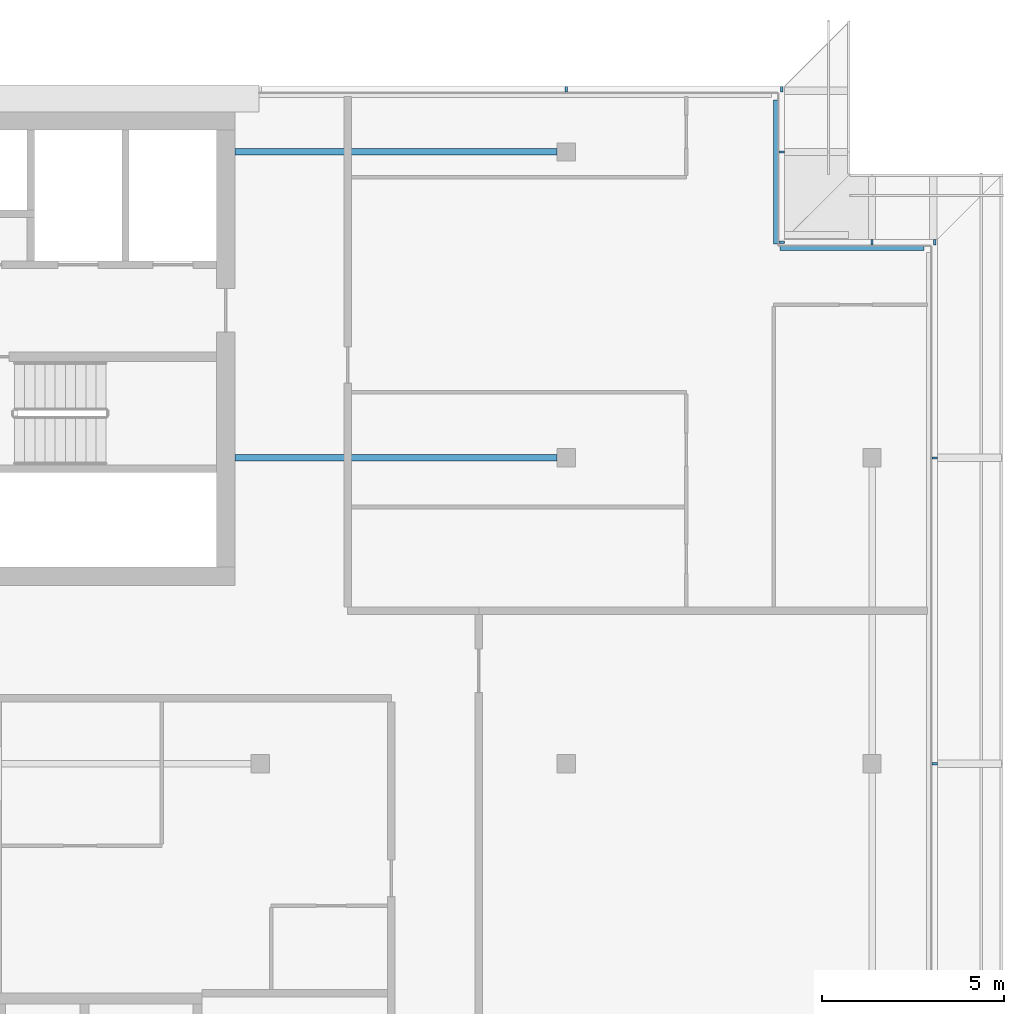
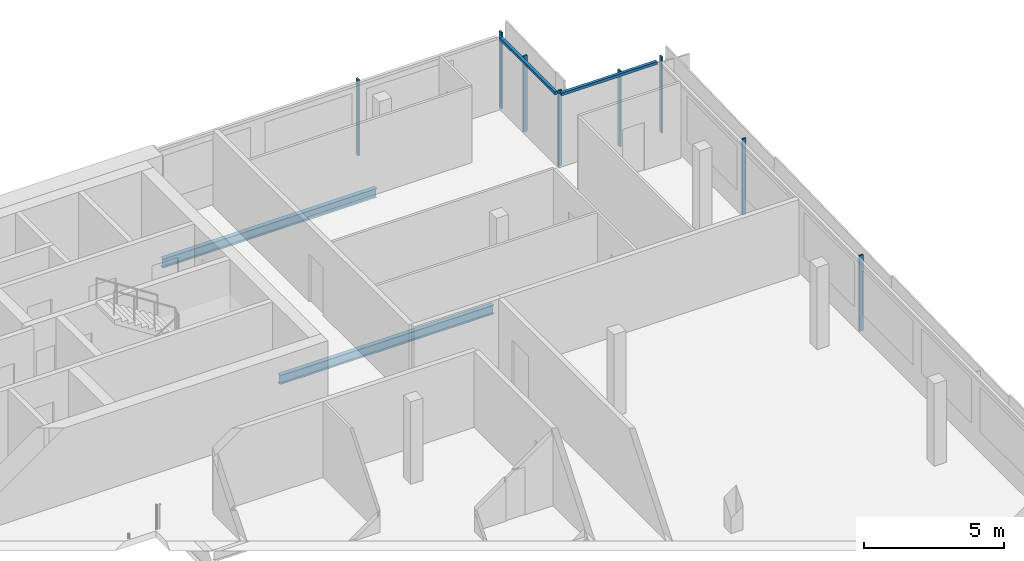
# One storey, part 13 of 27: 10 members, 2 beams, 4 elements without a shape of their own.
"""IFC4 building model written with IfcOpenShell, lengths in metres."""

from ifc_helpers import new_model, si_unit, direction, frame, origin, origin_2d, place, context, subcontext, project, spatial, rectangle, i_section, extrude, material, material_profile, profile_set, type_object, element, aggregate, save


model = new_model("IFC4")

# Units and contexts
model_context = context("Model", 3, precision=1e-05, world=origin(), true_north=direction((0.0, 1.0)))
body_context = subcontext(model_context, "Body", "Model", "MODEL_VIEW")
ifc_project = project(units=[si_unit("LENGTHUNIT", "METRE"), si_unit("AREAUNIT", "SQUARE_METRE"), si_unit("VOLUMEUNIT", "CUBIC_METRE"), si_unit("PLANEANGLEUNIT", "RADIAN"), si_unit("MASSUNIT", "GRAM", prefix="KILO")], contexts=[model_context])

# Site, building, storey
site_placement = place(None, origin())
site = spatial("IfcSite", under=ifc_project, at=site_placement, CompositionType="ELEMENT")
building_placement = place(site_placement, origin())
building = spatial("IfcBuilding", under=site, at=building_placement, Name="Saffron Gate Tower", CompositionType="ELEMENT")
storey_placement = place(building_placement, frame((0.0, 0.0, 267.14990234375)))
storey = spatial("IfcBuildingStorey", under=building, at=storey_placement, Name="L64", CompositionType="ELEMENT", Elevation=267.14990234375)

# Beams
ifc_material_1 = material(Name="Structural steel S355", Category="steel")
ifc_material_profile_1 = material_profile(ifc_material_1, i_section(OverallWidth=0.179931640625, OverallDepth=0.39990234375, WebThickness=0.008544921875, FlangeThickness=0.013427734375, FilletRadius=0.02099609375, at=origin_2d()))
ifc_profile_set_1 = profile_set([ifc_material_profile_1], Name="Structural steel S355")
beam_type = type_object("IfcBeamType", Name="B4 IPE 400", PredefinedType="BEAM", material=ifc_profile_set_1)
for number, where, z_axis, x_axis, name in (
    (1, (116.75, 65.39990234375, -0.47998046875), (-1.0, 0.0, 0.0), (0.0, -1.0, 0.0), "B4 CORE TIE BEAM"),
    (2, (116.75, 73.800048828125, -0.47998046875), (-1.0, 0.0, 0.0), (0.0, -1.0, 0.0), "B4 CORE TIE BEAM"),
):
    element("IfcBeam", number, at=place(storey_placement, frame(where, z_axis=z_axis, x_axis=x_axis)), inside=storey, type_object=beam_type, Name=name, PredefinedType="BEAM", context=body_context, shape_type="SweptSolid", body=[
        extrude(i_section(OverallWidth=0.179931640625, OverallDepth=0.39990234375, WebThickness=0.008544921875, FlangeThickness=0.013427734375, FilletRadius=0.02099609375, at=origin_2d()), origin(), (0.0, 0.0, 1.0), 8.85009765625),
    ])

# Curtain wall, members
ifc_material_2 = material(Name="Aluminium, bronze anodised", Category="aluminium")
curtain_wall_type_1 = type_object("IfcCurtainWallType", Name="CWS2 curtain wall side facades", PredefinedType="NOTDEFINED", material=ifc_material_2)
curtain_wall_1_placement = place(storey_placement, origin())
curtain_wall_1 = element("IfcCurtainWall", 3, at=curtain_wall_1_placement, inside=storey, type_object=curtain_wall_type_1, Name="CWS2 run 4", PredefinedType="NOTDEFINED")
ifc_material_profile_2 = material_profile(ifc_material_2, rectangle(XDim=0.159912109375, YDim=0.06005859375, at=origin_2d()))
ifc_profile_set_2 = profile_set([ifc_material_profile_2], Name="Aluminium, bronze anodised")
member_type_1 = type_object("IfcMemberType", Name="CWS2 mullion 60x160", PredefinedType="MULLION", material=ifc_profile_set_2)
member_1_placement = place(storey_placement, frame((127.1201171875, 57.0, 0.0), z_axis=(0.0, 0.0, 1.0), x_axis=(-1.0, 0.0, 0.0)))
member_1 = element("IfcMember", 4, at=member_1_placement, type_object=member_type_1, Name="CWS2 mullion 4", PredefinedType="MULLION", context=body_context, shape_type="SweptSolid", body=[
    extrude(rectangle(XDim=0.159912109375, YDim=0.06005859375, at=origin_2d()), origin(), (0.0, 0.0, 1.0), 3.320068359375),
])
member_2_placement = place(storey_placement, frame((127.1201171875, 65.39990234375, 0.0), z_axis=(0.0, 0.0, 1.0), x_axis=(-1.0, 0.0, 0.0)))
member_2 = element("IfcMember", 5, at=member_2_placement, type_object=member_type_1, Name="CWS2 mullion 5", PredefinedType="MULLION", context=body_context, shape_type="SweptSolid", body=[
    extrude(rectangle(XDim=0.159912109375, YDim=0.06005859375, at=origin_2d()), origin(), (0.0, 0.0, 1.0), 3.320068359375),
])
aggregate(curtain_wall_1, [member_1, member_2])

curtain_wall_type_2 = type_object("IfcCurtainWallType", Name="CWS3 curtain wall rear facade", PredefinedType="NOTDEFINED", material=ifc_material_2)
curtain_wall_2_placement = place(storey_placement, origin())
curtain_wall_2 = element("IfcCurtainWall", 6, at=curtain_wall_2_placement, inside=storey, type_object=curtain_wall_type_2, Name="CWS3 run 7", PredefinedType="NOTDEFINED")
ifc_material_profile_3 = material_profile(ifc_material_2, rectangle(XDim=0.159912109375, YDim=0.070068359375, at=origin_2d()))
ifc_profile_set_3 = profile_set([ifc_material_profile_3], Name="Aluminium, bronze anodised")
member_type_2 = type_object("IfcMemberType", Name="CWS3 mullion 70x160", PredefinedType="MULLION", material=ifc_profile_set_3)
member_3_placement = place(storey_placement, frame((122.919921875, 75.52001953125, 0.0), z_axis=(0.0, 0.0, 1.0), x_axis=(0.0, -1.0, 0.0)))
member_3 = element("IfcMember", 7, at=member_3_placement, type_object=member_type_2, Name="CWS3 mullion 1", PredefinedType="MULLION", context=body_context, shape_type="SweptSolid", body=[
    extrude(rectangle(XDim=0.159912109375, YDim=0.070068359375, at=origin_2d()), origin(), (0.0, 0.0, 1.0), 3.320068359375),
])
member_4_placement = place(storey_placement, frame((117.0, 75.52001953125, 0.0), z_axis=(0.0, 0.0, 1.0), x_axis=(0.0, -1.0, 0.0)))
member_4 = element("IfcMember", 8, at=member_4_placement, type_object=member_type_2, Name="CWS3 mullion 2", PredefinedType="MULLION", context=body_context, shape_type="SweptSolid", body=[
    extrude(rectangle(XDim=0.159912109375, YDim=0.070068359375, at=origin_2d()), origin(), (0.0, 0.0, 1.0), 3.320068359375),
])
aggregate(curtain_wall_2, [member_3, member_4])

# Curtain wall, member
curtain_wall_type_3 = type_object("IfcCurtainWallType", Name="CWS4 curtain wall corner returns", PredefinedType="NOTDEFINED", material=ifc_material_2)
curtain_wall_3_placement = place(storey_placement, origin())
curtain_wall_3 = element("IfcCurtainWall", 9, at=curtain_wall_3_placement, inside=storey, type_object=curtain_wall_type_3, Name="CWS4 run 5", PredefinedType="NOTDEFINED")
ifc_material_profile_4 = material_profile(ifc_material_2, rectangle(XDim=0.1201171875, YDim=0.1201171875, at=origin_2d()))
ifc_profile_set_4 = profile_set([ifc_material_profile_4], Name="Aluminium, bronze anodised")
member_type_3 = type_object("IfcMemberType", Name="CWS4 head transom", PredefinedType="USERDEFINED", material=ifc_profile_set_4)
member_5_placement = place(storey_placement, frame((126.83203125, 71.152099609375, 3.260009765625), z_axis=(-1.0, 0.0, 0.0), x_axis=(0.0, -1.0, 0.0)))
member_5 = element("IfcMember", 10, at=member_5_placement, type_object=member_type_3, Name="CWS4 head transom", ObjectType="TRANSOM", PredefinedType="USERDEFINED", context=body_context, shape_type="SweptSolid", body=[
    extrude(rectangle(XDim=0.1201171875, YDim=0.1201171875, at=origin_2d()), origin(), (0.0, 0.0, 1.0), 3.9599609375),
])

curtain_wall_4_placement = place(storey_placement, origin())
curtain_wall_4 = element("IfcCurtainWall", 11, at=curtain_wall_4_placement, inside=storey, type_object=curtain_wall_type_3, Name="CWS4 run 6", PredefinedType="NOTDEFINED")
member_6_placement = place(storey_placement, frame((122.751953125, 71.27197265625, 3.260009765625), z_axis=(0.0, 1.0, 0.0), x_axis=(-1.0, 0.0, 0.0)))
member_6 = element("IfcMember", 12, at=member_6_placement, type_object=member_type_3, Name="CWS4 head transom", ObjectType="TRANSOM", PredefinedType="USERDEFINED", context=body_context, shape_type="SweptSolid", body=[
    extrude(rectangle(XDim=0.1201171875, YDim=0.1201171875, at=origin_2d()), origin(), (0.0, 0.0, 1.0), 3.9599609375),
])

# Member
ifc_material_profile_5 = material_profile(ifc_material_2, rectangle(XDim=0.159912109375, YDim=0.06005859375, at=origin_2d()))
ifc_profile_set_5 = profile_set([ifc_material_profile_5], Name="Aluminium, bronze anodised")
member_type_4 = type_object("IfcMemberType", Name="CWS4 mullion 60x160", PredefinedType="MULLION", material=ifc_profile_set_5)
member_7_placement = place(storey_placement, frame((127.1201171875, 71.320068359375, 0.0), z_axis=(0.0, 0.0, 1.0), x_axis=(0.0, -1.0, 0.0)))
member_7 = element("IfcMember", 13, at=member_7_placement, type_object=member_type_4, Name="CWS4 mullion 1", PredefinedType="MULLION", context=body_context, shape_type="SweptSolid", body=[
    extrude(rectangle(XDim=0.159912109375, YDim=0.06005859375, at=origin_2d()), origin(), (0.0, 0.0, 1.0), 3.320068359375),
])

member_8_placement = place(storey_placement, frame((125.39990234375, 71.320068359375, 0.0), z_axis=(0.0, 0.0, 1.0), x_axis=(0.0, -1.0, 0.0)))
member_8 = element("IfcMember", 14, at=member_8_placement, type_object=member_type_4, Name="CWS4 mullion 2", PredefinedType="MULLION", context=body_context, shape_type="SweptSolid", body=[
    extrude(rectangle(XDim=0.159912109375, YDim=0.06005859375, at=origin_2d()), origin(), (0.0, 0.0, 1.0), 3.320068359375),
])

aggregate(curtain_wall_3, [member_7, member_8, member_5])

member_9_placement = place(storey_placement, frame((122.919921875, 71.320068359375, 0.0), z_axis=(0.0, 0.0, 1.0), x_axis=(-1.0, 0.0, 0.0)))
member_9 = element("IfcMember", 15, at=member_9_placement, type_object=member_type_4, Name="CWS4 mullion 1", PredefinedType="MULLION", context=body_context, shape_type="SweptSolid", body=[
    extrude(rectangle(XDim=0.159912109375, YDim=0.06005859375, at=origin_2d()), origin(), (0.0, 0.0, 1.0), 3.320068359375),
])

member_10_placement = place(storey_placement, frame((122.919921875, 73.800048828125, 0.0), z_axis=(0.0, 0.0, 1.0), x_axis=(-1.0, 0.0, 0.0)))
member_10 = element("IfcMember", 16, at=member_10_placement, type_object=member_type_4, Name="CWS4 mullion 2", PredefinedType="MULLION", context=body_context, shape_type="SweptSolid", body=[
    extrude(rectangle(XDim=0.159912109375, YDim=0.06005859375, at=origin_2d()), origin(), (0.0, 0.0, 1.0), 3.320068359375),
])

aggregate(curtain_wall_4, [member_9, member_10, member_6])

save(model, "model.ifc")
